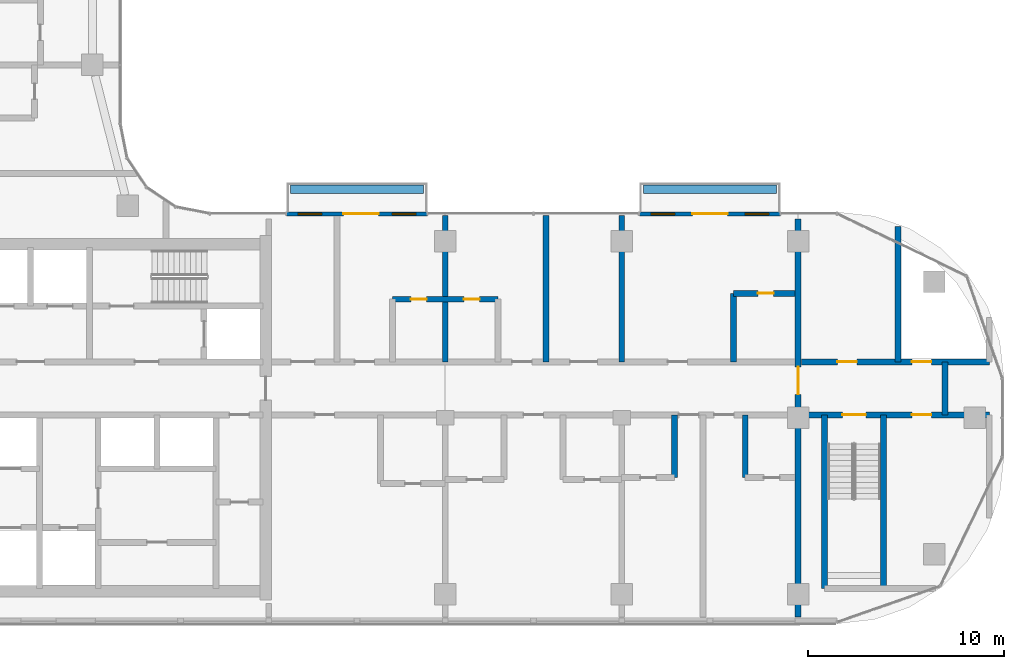
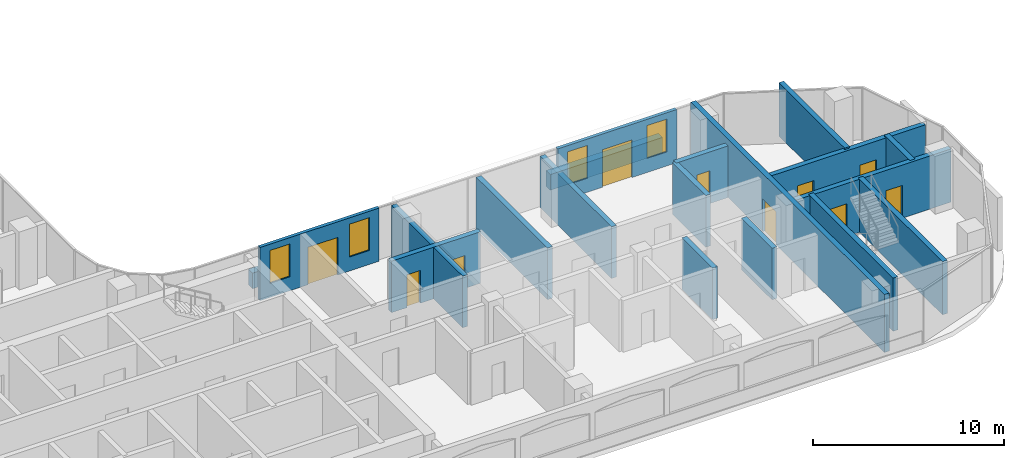
# One storey, part 10 of 22: 19 walls, 10 doors, 4 windows, 14 openings.
"""IFC4 building model written with IfcOpenShell, lengths in metres."""

from ifc_helpers import new_model, si_unit, direction, frame, frame_2d, origin, origin_2d, place, context, subcontext, project, spatial, rectangle, extrude, material, layer, layer_set, type_object, element, fill, save


model = new_model("IFC4")

# Units and contexts
model_context = context("Model", 3, precision=1e-05, world=origin(), true_north=direction((0.0, 1.0)))
body_context = subcontext(model_context, "Body", "Model", "MODEL_VIEW")
ifc_project = project(units=[si_unit("LENGTHUNIT", "METRE"), si_unit("AREAUNIT", "SQUARE_METRE"), si_unit("VOLUMEUNIT", "CUBIC_METRE"), si_unit("PLANEANGLEUNIT", "RADIAN"), si_unit("MASSUNIT", "GRAM", prefix="KILO")], contexts=[model_context])

# Site, building, storey
site_placement = place(None, origin())
site = spatial("IfcSite", under=ifc_project, at=site_placement, CompositionType="ELEMENT")
building_placement = place(site_placement, origin())
building = spatial("IfcBuilding", under=site, at=building_placement, Name="Ogive Portal Towers", CompositionType="ELEMENT")
storey_placement = place(building_placement, frame((0.0, 0.0, 145.89990234375)))
storey = spatial("IfcBuildingStorey", under=building, at=storey_placement, Name="L35", CompositionType="ELEMENT", Elevation=145.89990234375)

# Wall, openings, door, windows
ifc_material_1 = material(Name="Limestone cladding on lightweight block wall", Category="masonry")
ifc_layer_1 = layer(ifc_material_1, 0.199951171875)
ifc_layer_set_1 = layer_set([ifc_layer_1], Name="BALCONY BAY WALL 200")
wall_type_1 = type_object("IfcWallType", Name="BALCONY BAY WALL 200", PredefinedType="SOLIDWALL", material=ifc_layer_set_1)
wall_1_placement = place(storey_placement, frame((77.39990234375, 40.89990234375, 0.0), z_axis=(0.0, 0.0, 1.0), x_axis=(1.0, 0.0, 0.0)))
wall_1 = element("IfcWall", 1, at=wall_1_placement, inside=storey, type_object=wall_type_1, Name="A:L35:f12:bay0", PredefinedType="SOLIDWALL", context=body_context, shape_type="SweptSolid", body=[
    extrude(rectangle(XDim=7.2001953125, YDim=0.199951171875, at=frame_2d((3.60009765625, 0.0))), origin(), (0.0, 0.0, 1.0), 3.400146484375),
])
opening_1_placement = place(wall_1_placement, frame((2.699951171875, 0.0, 0.0)))
opening_1 = element("IfcOpeningElement", 2, at=opening_1_placement, cuts=wall_1, Name="Opening DX039", PredefinedType="OPENING", context=body_context, shape_type="SweptSolid", body=[
    extrude(rectangle(XDim=1.800048828125, YDim=2.39990234375, at=frame_2d((0.89990234375, 1.199951171875))), frame((0.0, 0.10986328125, 0.0), z_axis=(0.0, -1.0, 0.0), x_axis=(1.0, 0.0, 0.0)), (0.0, 0.0, 1.0), 0.219970703125),
])
opening_2_placement = place(wall_1_placement, frame((5.39990234375, 0.0, 0.89990234375)))
opening_2 = element("IfcOpeningElement", 3, at=opening_2_placement, cuts=wall_1, Name="Opening WN2", PredefinedType="OPENING", context=body_context, shape_type="SweptSolid", body=[
    extrude(rectangle(XDim=1.199951171875, YDim=2.10009765625, at=frame_2d((0.60009765625, 1.050048828125))), frame((0.0, 0.10986328125, 0.0), z_axis=(0.0, -1.0, 0.0), x_axis=(1.0, 0.0, 0.0)), (0.0, 0.0, 1.0), 0.219970703125),
])
opening_3_placement = place(wall_1_placement, frame((0.60009765625, 0.0, 0.89990234375)))
opening_3 = element("IfcOpeningElement", 4, at=opening_3_placement, cuts=wall_1, Name="Opening WN2", PredefinedType="OPENING", context=body_context, shape_type="SweptSolid", body=[
    extrude(rectangle(XDim=1.199951171875, YDim=2.10009765625, at=frame_2d((0.60009765625, 1.050048828125))), frame((0.0, 0.10986328125, 0.0), z_axis=(0.0, -1.0, 0.0), x_axis=(1.0, 0.0, 0.0)), (0.0, 0.0, 1.0), 0.219970703125),
])
ifc_material_2 = material(Name="Aluminium 6063 anodised", Category="aluminium")
door_type_1 = type_object("IfcDoorType", Name="BALCONY DOOR 1800x2400", OperationType="DOUBLE_DOOR_SINGLE_SWING", PredefinedType="DOOR", material=ifc_material_2)
door_1_placement = place(opening_1_placement, origin())
door_1 = element("IfcDoor", 5, at=door_1_placement, inside=storey, type_object=door_type_1, Name="A:L35:f12:bay0/o0", OperationType="SINGLE_SWING_LEFT", OverallHeight=2.39990234375, OverallWidth=1.800048828125, PredefinedType="DOOR", context=body_context, shape_type="SweptSolid", body=[
    extrude(rectangle(XDim=1.800048828125, YDim=2.39990234375, at=frame_2d((0.89990234375, 1.199951171875))), frame((0.0, 0.02490234375, 0.0), z_axis=(0.0, -1.0, 0.0), x_axis=(1.0, 0.0, 0.0)), (0.0, 0.0, 1.0), 0.050048828125),
])
fill(opening_1, door_1)
ifc_material_3 = material(Name="Glass, clear low-iron insulated glazing", Category="glass")
window_type = type_object("IfcWindowType", Name="WINDOW BALCONY BAY 1200x2100", PartitioningType="SINGLE_PANEL", PredefinedType="WINDOW", material=ifc_material_3)
window_1_placement = place(opening_2_placement, origin())
window_1 = element("IfcWindow", 6, at=window_1_placement, inside=storey, type_object=window_type, Name="A:L35:f12:bay0/o1", OverallHeight=2.10009765625, OverallWidth=1.199951171875, PartitioningType="SINGLE_PANEL", PredefinedType="WINDOW", context=body_context, shape_type="SweptSolid", body=[
    extrude(rectangle(XDim=1.199951171875, YDim=2.10009765625, at=frame_2d((0.60009765625, 1.050048828125))), frame((0.0, 0.030029296875, 0.0), z_axis=(0.0, -1.0, 0.0), x_axis=(1.0, 0.0, 0.0)), (0.0, 0.0, 1.0), 0.06005859375),
])
fill(opening_2, window_1)
window_2_placement = place(opening_3_placement, origin())
window_2 = element("IfcWindow", 7, at=window_2_placement, inside=storey, type_object=window_type, Name="A:L35:f12:bay0/o2", OverallHeight=2.10009765625, OverallWidth=1.199951171875, PartitioningType="SINGLE_PANEL", PredefinedType="WINDOW", context=body_context, shape_type="SweptSolid", body=[
    extrude(rectangle(XDim=1.199951171875, YDim=2.10009765625, at=frame_2d((0.60009765625, 1.050048828125))), frame((0.0, 0.030029296875, 0.0), z_axis=(0.0, -1.0, 0.0), x_axis=(1.0, 0.0, 0.0)), (0.0, 0.0, 1.0), 0.06005859375),
])
fill(opening_3, window_2)

wall_2_placement = place(storey_placement, frame((59.39990234375, 40.89990234375, 0.0), z_axis=(0.0, 0.0, 1.0), x_axis=(1.0, 0.0, 0.0)))
wall_2 = element("IfcWall", 8, at=wall_2_placement, inside=storey, type_object=wall_type_1, Name="A:L35:f12:bay1", PredefinedType="SOLIDWALL", context=body_context, shape_type="SweptSolid", body=[
    extrude(rectangle(XDim=7.2001953125, YDim=0.199951171875, at=frame_2d((3.60009765625, 0.0))), origin(), (0.0, 0.0, 1.0), 3.400146484375),
])
opening_4_placement = place(wall_2_placement, frame((2.89990234375, 0.0, 0.0)))
opening_4 = element("IfcOpeningElement", 9, at=opening_4_placement, cuts=wall_2, Name="Opening DX040", PredefinedType="OPENING", context=body_context, shape_type="SweptSolid", body=[
    extrude(rectangle(XDim=1.800048828125, YDim=2.39990234375, at=frame_2d((0.89990234375, 1.199951171875))), frame((0.0, 0.10986328125, 0.0), z_axis=(0.0, -1.0, 0.0), x_axis=(1.0, 0.0, 0.0)), (0.0, 0.0, 1.0), 0.219970703125),
])
opening_5_placement = place(wall_2_placement, frame((5.39990234375, 0.0, 0.89990234375)))
opening_5 = element("IfcOpeningElement", 10, at=opening_5_placement, cuts=wall_2, Name="Opening WN2", PredefinedType="OPENING", context=body_context, shape_type="SweptSolid", body=[
    extrude(rectangle(XDim=1.199951171875, YDim=2.10009765625, at=frame_2d((0.60009765625, 1.050048828125))), frame((0.0, 0.10986328125, 0.0), z_axis=(0.0, -1.0, 0.0), x_axis=(1.0, 0.0, 0.0)), (0.0, 0.0, 1.0), 0.219970703125),
])
opening_6_placement = place(wall_2_placement, frame((0.60009765625, 0.0, 0.89990234375)))
opening_6 = element("IfcOpeningElement", 11, at=opening_6_placement, cuts=wall_2, Name="Opening WN2", PredefinedType="OPENING", context=body_context, shape_type="SweptSolid", body=[
    extrude(rectangle(XDim=1.199951171875, YDim=2.10009765625, at=frame_2d((0.60009765625, 1.050048828125))), frame((0.0, 0.10986328125, 0.0), z_axis=(0.0, -1.0, 0.0), x_axis=(1.0, 0.0, 0.0)), (0.0, 0.0, 1.0), 0.219970703125),
])
door_2_placement = place(opening_4_placement, origin())
door_2 = element("IfcDoor", 12, at=door_2_placement, inside=storey, type_object=door_type_1, Name="A:L35:f12:bay1/o0", OperationType="SINGLE_SWING_LEFT", OverallHeight=2.39990234375, OverallWidth=1.800048828125, PredefinedType="DOOR", context=body_context, shape_type="SweptSolid", body=[
    extrude(rectangle(XDim=1.800048828125, YDim=2.39990234375, at=frame_2d((0.89990234375, 1.199951171875))), frame((0.0, 0.02490234375, 0.0), z_axis=(0.0, -1.0, 0.0), x_axis=(1.0, 0.0, 0.0)), (0.0, 0.0, 1.0), 0.050048828125),
])
fill(opening_4, door_2)
window_3_placement = place(opening_5_placement, origin())
window_3 = element("IfcWindow", 13, at=window_3_placement, inside=storey, type_object=window_type, Name="A:L35:f12:bay1/o1", OverallHeight=2.10009765625, OverallWidth=1.199951171875, PartitioningType="SINGLE_PANEL", PredefinedType="WINDOW", context=body_context, shape_type="SweptSolid", body=[
    extrude(rectangle(XDim=1.199951171875, YDim=2.10009765625, at=frame_2d((0.60009765625, 1.050048828125))), frame((0.0, 0.030029296875, 0.0), z_axis=(0.0, -1.0, 0.0), x_axis=(1.0, 0.0, 0.0)), (0.0, 0.0, 1.0), 0.06005859375),
])
fill(opening_5, window_3)
window_4_placement = place(opening_6_placement, origin())
window_4 = element("IfcWindow", 14, at=window_4_placement, inside=storey, type_object=window_type, Name="A:L35:f12:bay1/o2", OverallHeight=2.10009765625, OverallWidth=1.199951171875, PartitioningType="SINGLE_PANEL", PredefinedType="WINDOW", context=body_context, shape_type="SweptSolid", body=[
    extrude(rectangle(XDim=1.199951171875, YDim=2.10009765625, at=frame_2d((0.60009765625, 1.050048828125))), frame((0.0, 0.030029296875, 0.0), z_axis=(0.0, -1.0, 0.0), x_axis=(1.0, 0.0, 0.0)), (0.0, 0.0, 1.0), 0.06005859375),
])
fill(opening_6, window_4)

# Walls
ifc_material_4 = material(Name="Concrete C40/50", Category="concrete")
ifc_layer_2 = layer(ifc_material_4, 0.449951171875)
ifc_layer_set_2 = layer_set([ifc_layer_2], Name="PLANTER WALL 450")
wall_type_2 = type_object("IfcWallType", Name="PLANTER WALL 450", PredefinedType="SOLIDWALL", material=ifc_layer_set_2)
for number, where, z_axis, x_axis, name in (
    (15, (63.0, 42.155029296875, 0.0), (0.0, 0.0, 1.0), (1.0, 0.0, 0.0), "Planter T1"),
    (16, (81.0, 42.155029296875, 0.0), (0.0, 0.0, 1.0), (1.0, 0.0, 0.0), "Planter T3"),
):
    element("IfcWall", number, at=place(storey_placement, frame(where, z_axis=z_axis, x_axis=x_axis)), inside=storey, type_object=wall_type_2, Name=name, PredefinedType="SOLIDWALL", context=body_context, shape_type="SweptSolid", body=[
        extrude(rectangle(XDim=6.800048828125, YDim=0.449951171875, at=origin_2d()), origin(), (0.0, 0.0, 1.0), 1.0),
    ])

# Wall, opening, door
ifc_material_5 = material(Name="Concrete C60/75", Category="concrete")
ifc_layer_3 = layer(ifc_material_5, 0.300048828125)
ifc_layer_set_3 = layer_set([ifc_layer_3], Name="REVEAL WALL 300 C60")
wall_type_3 = type_object("IfcWallType", Name="REVEAL WALL 300 C60", PredefinedType="SHEAR", material=ifc_layer_set_3)
wall_3_placement = place(storey_placement, frame((85.5, 20.35009765625, 0.0), z_axis=(0.0, 0.0, 1.0), x_axis=(0.0, 1.0, 0.0)))
wall_3 = element("IfcWall", 17, at=wall_3_placement, inside=storey, type_object=wall_type_3, Name="Portal reveal wall L35", PredefinedType="SHEAR", context=body_context, shape_type="SweptSolid", body=[
    extrude(rectangle(XDim=20.2998046875, YDim=0.300048828125, at=frame_2d((10.14990234375, 0.0))), origin(), (0.0, 0.0, 1.0), 3.7001953125),
])
opening_7_placement = place(wall_3_placement, frame((11.35009765625, 0.0, 0.0)))
opening_7 = element("IfcOpeningElement", 18, at=opening_7_placement, cuts=wall_3, Name="Opening D13-064", PredefinedType="OPENING", context=body_context, shape_type="SweptSolid", body=[
    extrude(rectangle(XDim=1.39990234375, YDim=2.10009765625, at=frame_2d((0.699951171875, 1.050048828125))), frame((0.0, 0.16015625, 0.0), z_axis=(0.0, -1.0, 0.0), x_axis=(1.0, 0.0, 0.0)), (0.0, 0.0, 1.0), 0.320068359375),
])
ifc_material_6 = material(Name="Steel fire door", Category="steel")
door_type_2 = type_object("IfcDoorType", Name="DT-STAIR-1400x2100-FD90S", OperationType="SINGLE_SWING_LEFT", PredefinedType="DOOR", material=ifc_material_6)
door_3_placement = place(opening_7_placement, origin())
door_3 = element("IfcDoor", 19, at=door_3_placement, inside=storey, type_object=door_type_2, Name="Door D13-064", OperationType="SINGLE_SWING_RIGHT", OverallHeight=2.10009765625, OverallWidth=1.39990234375, PredefinedType="DOOR", context=body_context, shape_type="SweptSolid", body=[
    extrude(rectangle(XDim=1.39990234375, YDim=2.10009765625, at=frame_2d((0.699951171875, 1.050048828125))), frame((0.0, 0.02490234375, 0.0), z_axis=(0.0, -1.0, 0.0), x_axis=(1.0, 0.0, 0.0)), (0.0, 0.0, 1.0), 0.050048828125),
])
fill(opening_7, door_3)

# Wall, openings, doors
ifc_material_7 = material(Name="Concrete C50/60", Category="concrete")
ifc_layer_4 = layer(ifc_material_7, 0.300048828125)
ifc_layer_set_4 = layer_set([ifc_layer_4], Name="STAIR WALL 300 C50")
wall_type_4 = type_object("IfcWallType", Name="STAIR WALL 300 C50", PredefinedType="SHEAR", material=ifc_layer_set_4)
wall_4_placement = place(storey_placement, frame((85.669921875, 30.64990234375, 0.0), z_axis=(0.0, 0.0, 1.0), x_axis=(1.0, 0.0, 0.0)))
wall_4 = element("IfcWall", 20, at=wall_4_placement, inside=storey, type_object=wall_type_4, Name="Stair wall ST-A4 L35", PredefinedType="SHEAR", context=body_context, shape_type="SweptSolid", body=[
    extrude(rectangle(XDim=9.580078125, YDim=0.300048828125, at=frame_2d((4.7900390625, 0.0))), origin(), (0.0, 0.0, 1.0), 3.400146484375),
])
opening_8_placement = place(wall_4_placement, frame((2.080078125, 0.0, 0.0)))
opening_8 = element("IfcOpeningElement", 21, at=opening_8_placement, cuts=wall_4, Name="Opening D13-059", PredefinedType="OPENING", context=body_context, shape_type="SweptSolid", body=[
    extrude(rectangle(XDim=1.199951171875, YDim=2.10009765625, at=frame_2d((0.60009765625, 1.050048828125))), frame((0.0, 0.16015625, 0.0), z_axis=(0.0, -1.0, 0.0), x_axis=(1.0, 0.0, 0.0)), (0.0, 0.0, 1.0), 0.320068359375),
])
opening_9_placement = place(wall_4_placement, frame((5.6298828125, 0.0, 0.0)))
opening_9 = element("IfcOpeningElement", 22, at=opening_9_placement, cuts=wall_4, Name="Opening D13-062", PredefinedType="OPENING", context=body_context, shape_type="SweptSolid", body=[
    extrude(rectangle(XDim=1.0, YDim=2.10009765625, at=frame_2d((0.5, 1.050048828125))), frame((0.0, 0.16015625, 0.0), z_axis=(0.0, -1.0, 0.0), x_axis=(1.0, 0.0, 0.0)), (0.0, 0.0, 1.0), 0.320068359375),
])
door_type_3 = type_object("IfcDoorType", Name="DT-SERVICE-1000x2100-FD90S", OperationType="SINGLE_SWING_LEFT", PredefinedType="DOOR", material=ifc_material_6)
door_4_placement = place(opening_9_placement, origin())
door_4 = element("IfcDoor", 23, at=door_4_placement, inside=storey, type_object=door_type_3, Name="Door D13-062", OperationType="SINGLE_SWING_LEFT", OverallHeight=2.10009765625, OverallWidth=1.0, PredefinedType="DOOR", context=body_context, shape_type="SweptSolid", body=[
    extrude(rectangle(XDim=1.0, YDim=2.10009765625, at=frame_2d((0.5, 1.050048828125))), frame((0.0, 0.02490234375, 0.0), z_axis=(0.0, -1.0, 0.0), x_axis=(1.0, 0.0, 0.0)), (0.0, 0.0, 1.0), 0.050048828125),
])
fill(opening_9, door_4)
door_type_4 = type_object("IfcDoorType", Name="DT-STAIR-1200x2100-FD90S", OperationType="SINGLE_SWING_LEFT", PredefinedType="DOOR", material=ifc_material_6)
door_5_placement = place(opening_8_placement, origin())
door_5 = element("IfcDoor", 24, at=door_5_placement, inside=storey, type_object=door_type_4, Name="Door D13-059", OperationType="SINGLE_SWING_LEFT", OverallHeight=2.10009765625, OverallWidth=1.199951171875, PredefinedType="DOOR", context=body_context, shape_type="SweptSolid", body=[
    extrude(rectangle(XDim=1.199951171875, YDim=2.10009765625, at=frame_2d((0.60009765625, 1.050048828125))), frame((0.0, 0.02490234375, 0.0), z_axis=(0.0, -1.0, 0.0), x_axis=(1.0, 0.0, 0.0)), (0.0, 0.0, 1.0), 0.050048828125),
])
fill(opening_8, door_5)

# Walls
for number, where, z_axis, x_axis, name in (
    (25, (86.85009765625, 21.800048828125, 0.0), (0.0, 0.0, 1.0), (0.0, 1.0, 0.0), "Stair wall ST-A4 L35"),
    (26, (89.85009765625, 21.800048828125, 0.0), (0.0, 0.0, 1.0), (0.0, 1.0, 0.0), "Stair wall ST-A4 L35"),
):
    element("IfcWall", number, at=place(storey_placement, frame(where, z_axis=z_axis, x_axis=x_axis)), inside=storey, type_object=wall_type_4, Name=name, PredefinedType="SHEAR", context=body_context, shape_type="SweptSolid", body=[
        extrude(rectangle(XDim=8.849853515625, YDim=0.300048828125, at=frame_2d((4.4248046875, 0.0))), origin(), (0.0, 0.0, 1.0), 3.400146484375),
    ])

# Wall, openings, doors
ifc_material_8 = material(Name="Gypsum board partition on steel studs", Category="steel")
ifc_layer_5 = layer(ifc_material_8, 0.300048828125)
ifc_layer_set_5 = layer_set([ifc_layer_5], Name="WT-PART-300-EI 120")
wall_type_5 = type_object("IfcWallType", Name="WT-PART-300-EI 120", PredefinedType="PARTITIONING", material=ifc_layer_set_5)
wall_5_placement = place(storey_placement, frame((85.669921875, 33.35009765625, 0.0), z_axis=(0.0, 0.0, 1.0), x_axis=(1.0, 0.0, 0.0)))
wall_5 = element("IfcWall", 27, at=wall_5_placement, inside=storey, type_object=wall_type_5, Name="Wall L35:w010", PredefinedType="PARTITIONING", context=body_context, shape_type="SweptSolid", body=[
    extrude(rectangle(XDim=9.580078125, YDim=0.300048828125, at=frame_2d((4.7900390625, 0.0))), origin(), (0.0, 0.0, 1.0), 3.300048828125),
])
opening_10_placement = place(wall_5_placement, frame((1.830078125, 0.0, 0.0)))
opening_10 = element("IfcOpeningElement", 28, at=opening_10_placement, cuts=wall_5, Name="Opening D13-060", PredefinedType="OPENING", context=body_context, shape_type="SweptSolid", body=[
    extrude(rectangle(XDim=1.0, YDim=2.10009765625, at=frame_2d((0.5, 1.050048828125))), frame((0.0, 0.16015625, 0.0), z_axis=(0.0, -1.0, 0.0), x_axis=(1.0, 0.0, 0.0)), (0.0, 0.0, 1.0), 0.320068359375),
])
opening_11_placement = place(wall_5_placement, frame((5.6298828125, 0.0, 0.0)))
opening_11 = element("IfcOpeningElement", 29, at=opening_11_placement, cuts=wall_5, Name="Opening D13-061", PredefinedType="OPENING", context=body_context, shape_type="SweptSolid", body=[
    extrude(rectangle(XDim=1.0, YDim=2.10009765625, at=frame_2d((0.5, 1.050048828125))), frame((0.0, 0.16015625, 0.0), z_axis=(0.0, -1.0, 0.0), x_axis=(1.0, 0.0, 0.0)), (0.0, 0.0, 1.0), 0.320068359375),
])
door_6_placement = place(opening_10_placement, origin())
door_6 = element("IfcDoor", 30, at=door_6_placement, inside=storey, type_object=door_type_3, Name="Door D13-060", OperationType="SINGLE_SWING_LEFT", OverallHeight=2.10009765625, OverallWidth=1.0, PredefinedType="DOOR", context=body_context, shape_type="SweptSolid", body=[
    extrude(rectangle(XDim=1.0, YDim=2.10009765625, at=frame_2d((0.5, 1.050048828125))), frame((0.0, 0.02490234375, 0.0), z_axis=(0.0, -1.0, 0.0), x_axis=(1.0, 0.0, 0.0)), (0.0, 0.0, 1.0), 0.050048828125),
])
fill(opening_10, door_6)
door_7_placement = place(opening_11_placement, origin())
door_7 = element("IfcDoor", 31, at=door_7_placement, inside=storey, type_object=door_type_3, Name="Riser access door D13-061", OperationType="SINGLE_SWING_RIGHT", OverallHeight=2.10009765625, OverallWidth=1.0, PredefinedType="DOOR", context=body_context, shape_type="SweptSolid", body=[
    extrude(rectangle(XDim=1.0, YDim=2.10009765625, at=frame_2d((0.5, 1.050048828125))), frame((0.0, 0.02490234375, 0.0), z_axis=(0.0, -1.0, 0.0), x_axis=(1.0, 0.0, 0.0)), (0.0, 0.0, 1.0), 0.050048828125),
])
fill(opening_11, door_7)

# Wall
wall_6_placement = place(storey_placement, frame((93.0, 30.64990234375, 0.0), z_axis=(0.0, 0.0, 1.0), x_axis=(0.0, 1.0, 0.0)))
element("IfcWall", 32, at=wall_6_placement, inside=storey, type_object=wall_type_5, Name="Wall L35:w062", PredefinedType="PARTITIONING", context=body_context, shape_type="SweptSolid", body=[
    extrude(rectangle(XDim=2.7001953125, YDim=0.300048828125, at=frame_2d((1.35009765625, 0.0))), origin(), (0.0, 0.0, 1.0), 3.400146484375),
])

# Wall, openings, doors
ifc_layer_6 = layer(ifc_material_8, 0.300048828125)
ifc_layer_set_6 = layer_set([ifc_layer_6], Name="WT-PART-300-EI 60")
wall_type_6 = type_object("IfcWallType", Name="WT-PART-300-EI 60", PredefinedType="PARTITIONING", material=ifc_layer_set_6)
wall_7_placement = place(storey_placement, frame((64.800048828125, 36.550048828125, 0.0), z_axis=(0.0, 0.0, 1.0), x_axis=(1.0, 0.0, 0.0)))
wall_7 = element("IfcWall", 33, at=wall_7_placement, inside=storey, type_object=wall_type_6, Name="Wall L35:w011", PredefinedType="PARTITIONING", context=body_context, shape_type="SweptSolid", body=[
    extrude(rectangle(XDim=5.39990234375, YDim=0.300048828125, at=frame_2d((2.699951171875, 0.0))), origin(), (0.0, 0.0, 1.0), 3.300048828125),
])
opening_12_placement = place(wall_7_placement, frame((0.949951171875, 0.0, 0.0)))
opening_12 = element("IfcOpeningElement", 34, at=opening_12_placement, cuts=wall_7, Name="Opening D13-027", PredefinedType="OPENING", context=body_context, shape_type="SweptSolid", body=[
    extrude(rectangle(XDim=0.800048828125, YDim=2.10009765625, at=frame_2d((0.39990234375, 1.050048828125))), frame((0.0, 0.16015625, 0.0), z_axis=(0.0, -1.0, 0.0), x_axis=(1.0, 0.0, 0.0)), (0.0, 0.0, 1.0), 0.320068359375),
])
opening_13_placement = place(wall_7_placement, frame((3.64990234375, 0.0, 0.0)))
opening_13 = element("IfcOpeningElement", 35, at=opening_13_placement, cuts=wall_7, Name="Opening D13-031", PredefinedType="OPENING", context=body_context, shape_type="SweptSolid", body=[
    extrude(rectangle(XDim=0.800048828125, YDim=2.10009765625, at=frame_2d((0.39990234375, 1.050048828125))), frame((0.0, 0.16015625, 0.0), z_axis=(0.0, -1.0, 0.0), x_axis=(1.0, 0.0, 0.0)), (0.0, 0.0, 1.0), 0.320068359375),
])
door_type_5 = type_object("IfcDoorType", Name="DT-BATH-800x2100-FD60S", OperationType="SINGLE_SWING_LEFT", PredefinedType="DOOR", material=ifc_material_6)
door_8_placement = place(opening_12_placement, origin())
door_8 = element("IfcDoor", 36, at=door_8_placement, inside=storey, type_object=door_type_5, Name="Door D13-027", OperationType="SINGLE_SWING_RIGHT", OverallHeight=2.10009765625, OverallWidth=0.800048828125, PredefinedType="DOOR", context=body_context, shape_type="SweptSolid", body=[
    extrude(rectangle(XDim=0.800048828125, YDim=2.10009765625, at=frame_2d((0.39990234375, 1.050048828125))), frame((0.0, 0.02490234375, 0.0), z_axis=(0.0, -1.0, 0.0), x_axis=(1.0, 0.0, 0.0)), (0.0, 0.0, 1.0), 0.050048828125),
])
fill(opening_12, door_8)
door_9_placement = place(opening_13_placement, origin())
door_9 = element("IfcDoor", 37, at=door_9_placement, inside=storey, type_object=door_type_5, Name="Door D13-031", OperationType="SINGLE_SWING_LEFT", OverallHeight=2.10009765625, OverallWidth=0.800048828125, PredefinedType="DOOR", context=body_context, shape_type="SweptSolid", body=[
    extrude(rectangle(XDim=0.800048828125, YDim=2.10009765625, at=frame_2d((0.39990234375, 1.050048828125))), frame((0.0, 0.02490234375, 0.0), z_axis=(0.0, -1.0, 0.0), x_axis=(1.0, 0.0, 0.0)), (0.0, 0.0, 1.0), 0.050048828125),
])
fill(opening_13, door_9)

# Wall, opening, door
wall_8_placement = place(storey_placement, frame((82.199951171875, 36.85009765625, 0.0), z_axis=(0.0, 0.0, 1.0), x_axis=(1.0, 0.0, 0.0)))
wall_8 = element("IfcWall", 38, at=wall_8_placement, inside=storey, type_object=wall_type_6, Name="Wall L35:w012", PredefinedType="PARTITIONING", context=body_context, shape_type="SweptSolid", body=[
    extrude(rectangle(XDim=3.130126953125, YDim=0.300048828125, at=frame_2d((1.56494140625, 0.0))), origin(), (0.0, 0.0, 1.0), 3.300048828125),
])
opening_14_placement = place(wall_8_placement, frame((1.25, 0.0, 0.0)))
opening_14 = element("IfcOpeningElement", 39, at=opening_14_placement, cuts=wall_8, Name="Opening D13-037", PredefinedType="OPENING", context=body_context, shape_type="SweptSolid", body=[
    extrude(rectangle(XDim=0.800048828125, YDim=2.10009765625, at=frame_2d((0.39990234375, 1.050048828125))), frame((0.0, 0.16015625, 0.0), z_axis=(0.0, -1.0, 0.0), x_axis=(1.0, 0.0, 0.0)), (0.0, 0.0, 1.0), 0.320068359375),
])
door_10_placement = place(opening_14_placement, origin())
door_10 = element("IfcDoor", 40, at=door_10_placement, inside=storey, type_object=door_type_5, Name="Door D13-037", OperationType="SINGLE_SWING_LEFT", OverallHeight=2.10009765625, OverallWidth=0.800048828125, PredefinedType="DOOR", context=body_context, shape_type="SweptSolid", body=[
    extrude(rectangle(XDim=0.800048828125, YDim=2.10009765625, at=frame_2d((0.39990234375, 1.050048828125))), frame((0.0, 0.02490234375, 0.0), z_axis=(0.0, -1.0, 0.0), x_axis=(1.0, 0.0, 0.0)), (0.0, 0.0, 1.0), 0.050048828125),
])
fill(opening_14, door_10)

# Walls
for number, where, z_axis, x_axis, name in (
    (41, (67.5, 33.35009765625, 0.0), (0.0, 0.0, 1.0), (0.0, 1.0, 0.0), "Wall L35:w048"),
    (42, (72.6298828125, 33.35009765625, 0.0), (0.0, 0.0, 1.0), (0.0, 1.0, 0.0), "Wall L35:w051"),
    (43, (76.5, 33.35009765625, 0.0), (0.0, 0.0, 1.0), (0.0, 1.0, 0.0), "Wall L35:w054"),
):
    element("IfcWall", number, at=place(storey_placement, frame(where, z_axis=z_axis, x_axis=x_axis)), inside=storey, type_object=wall_type_6, Name=name, PredefinedType="PARTITIONING", context=body_context, shape_type="SweptSolid", body=[
        extrude(rectangle(XDim=7.47998046875, YDim=0.300048828125, at=frame_2d((3.739990234375, 0.0))), origin(), (0.0, 0.0, 1.0), 3.300048828125),
    ])
wall_9_placement = place(storey_placement, frame((79.199951171875, 27.449951171875, 0.0), z_axis=(0.0, 0.0, 1.0), x_axis=(0.0, 1.0, 0.0)))
element("IfcWall", 44, at=wall_9_placement, inside=storey, type_object=wall_type_6, Name="Wall L35:w055", PredefinedType="PARTITIONING", context=body_context, shape_type="SweptSolid", body=[
    extrude(rectangle(XDim=3.199951171875, YDim=0.300048828125, at=frame_2d((1.60009765625, 0.0))), origin(), (0.0, 0.0, 1.0), 3.300048828125),
])
wall_10_placement = place(storey_placement, frame((82.199951171875, 33.35009765625, 0.0), z_axis=(0.0, 0.0, 1.0), x_axis=(0.0, 1.0, 0.0)))
element("IfcWall", 45, at=wall_10_placement, inside=storey, type_object=wall_type_6, Name="Wall L35:w057", PredefinedType="PARTITIONING", context=body_context, shape_type="SweptSolid", body=[
    extrude(rectangle(XDim=3.5, YDim=0.300048828125, at=frame_2d((1.75, 0.0))), origin(), (0.0, 0.0, 1.0), 3.300048828125),
])
wall_11_placement = place(storey_placement, frame((82.800048828125, 27.449951171875, 0.0), z_axis=(0.0, 0.0, 1.0), x_axis=(0.0, 1.0, 0.0)))
element("IfcWall", 46, at=wall_11_placement, inside=storey, type_object=wall_type_6, Name="Wall L35:w058", PredefinedType="PARTITIONING", context=body_context, shape_type="SweptSolid", body=[
    extrude(rectangle(XDim=3.199951171875, YDim=0.300048828125, at=frame_2d((1.60009765625, 0.0))), origin(), (0.0, 0.0, 1.0), 3.300048828125),
])
wall_12_placement = place(storey_placement, frame((90.60009765625, 33.35009765625, 0.0), z_axis=(0.0, 0.0, 1.0), x_axis=(0.0, 1.0, 0.0)))
element("IfcWall", 47, at=wall_12_placement, inside=storey, type_object=wall_type_6, Name="Wall L35:w061", PredefinedType="PARTITIONING", context=body_context, shape_type="SweptSolid", body=[
    extrude(rectangle(XDim=6.89794921875, YDim=0.300048828125, at=frame_2d((3.448974609375, 0.0))), origin(), (0.0, 0.0, 1.0), 3.400146484375),
])

save(model, "model.ifc")
